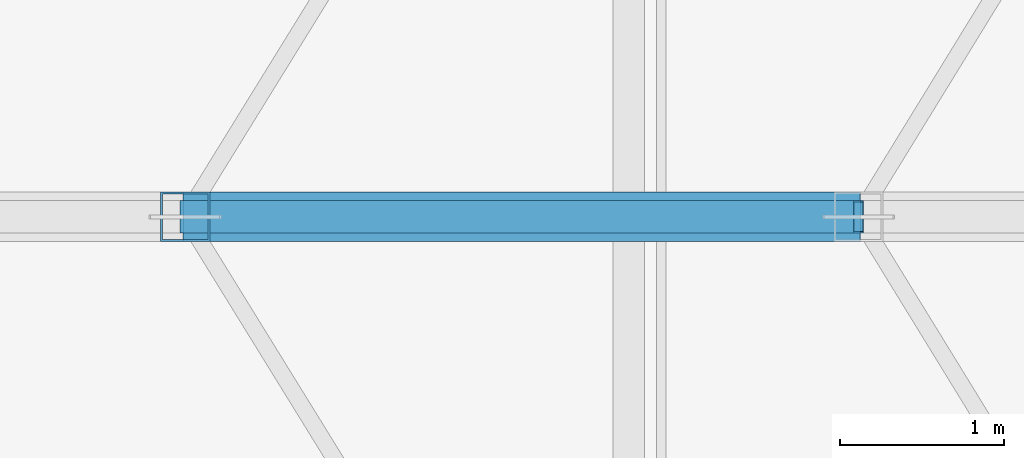
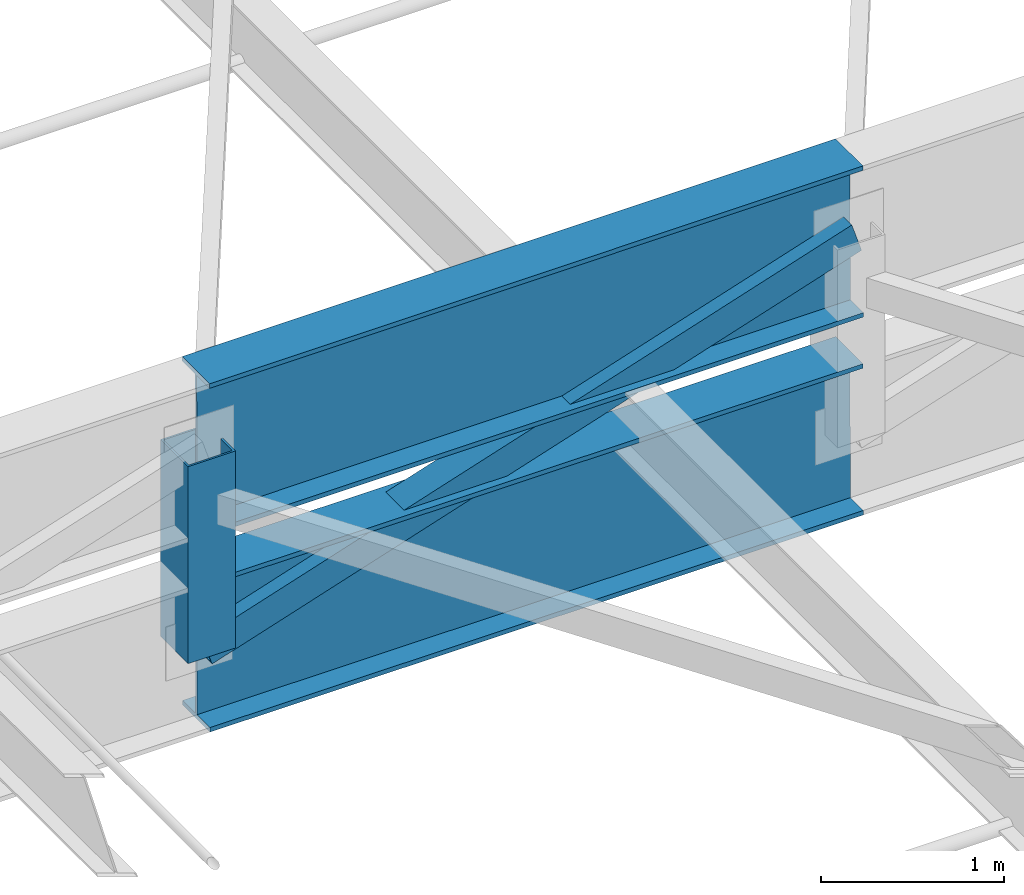
# One storey, part 19 of 184: 2 beams, 2 members.
"""IFC4 building model written with IfcOpenShell, lengths in metres."""

from ifc_helpers import new_model, si_unit, direction, frame, origin, origin_2d, place, context, subcontext, project, spatial, hollow_rectangle, i_section, extrude, material, material_profile, profile_set, type_object, element, save


model = new_model("IFC4")

# Units and contexts
model_context = context("Model", 3, precision=1e-05, world=origin(), true_north=direction((0.0, 1.0)))
body_context = subcontext(model_context, "Body", "Model", "MODEL_VIEW")
ifc_project = project(units=[si_unit("LENGTHUNIT", "METRE"), si_unit("AREAUNIT", "SQUARE_METRE"), si_unit("VOLUMEUNIT", "CUBIC_METRE"), si_unit("PLANEANGLEUNIT", "RADIAN"), si_unit("MASSUNIT", "GRAM", prefix="KILO")], contexts=[model_context])

# Site, building, storey
site_placement = place(None, origin())
site = spatial("IfcSite", under=ifc_project, at=site_placement, CompositionType="ELEMENT")
building_placement = place(site_placement, origin())
building = spatial("IfcBuilding", under=site, at=building_placement, Name="Kalgoora Escarpment Arena", CompositionType="ELEMENT")
storey_placement = place(building_placement, frame((0.0, 0.0, 27.60009765625)))
storey = spatial("IfcBuildingStorey", under=building, at=storey_placement, Name="Roof Level", CompositionType="ELEMENT", Elevation=27.60009765625)

# Beams
ifc_material_1 = material(Name="Structural steel Grade 350 (350 MPa)", Category="steel")
ifc_material_profile_1 = material_profile(ifc_material_1, i_section(OverallWidth=0.300048828125, OverallDepth=1.010009765625, WebThickness=0.01611328125, FlangeThickness=0.030029296875, at=origin_2d()))
ifc_profile_set_1 = profile_set([ifc_material_profile_1], Name="Structural steel Grade 350 (350 MPa)")
beam_type = type_object("IfcBeamType", Name="BM-TRUSS-CHORD", PredefinedType="USERDEFINED", material=ifc_profile_set_1)
for number, where, z_axis, x_axis, name in (
    (1, (60.087890625, 64.0, -1.635009765625), (0.999999299082, 0.0, 0.001183991593), (0.0, 1.0, 0.0), "Radial ROOF TRUSS spine 5 bottom chord 5"),
    (2, (60.087890625, 64.0, -0.320068359375), (0.999997054401, 0.0, 0.002427177317), (0.0, 1.0, 0.0), "Radial ROOF TRUSS spine 5 top chord 5"),
):
    element("IfcBeam", number, at=place(storey_placement, frame(where, z_axis=z_axis, x_axis=x_axis)), inside=storey, type_object=beam_type, Name=name, ObjectType="GIRDER", PredefinedType="USERDEFINED", context=body_context, shape_type="SweptSolid", body=[
        extrude(i_section(OverallWidth=0.300048828125, OverallDepth=1.010009765625, WebThickness=0.01611328125, FlangeThickness=0.030029296875, at=origin_2d()), origin(), (0.0, 0.0, 1.0), 4.1240234375),
    ])

# Members
ifc_material_2 = material(Name="Structural steel C350 (350 MPa)", Category="steel")
ifc_material_profile_2 = material_profile(ifc_material_2, hollow_rectangle(XDim=0.199951171875, YDim=0.199951171875, WallThickness=0.009033203125, at=origin_2d()))
ifc_profile_set_2 = profile_set([ifc_material_profile_2], Name="Structural steel C350 (350 MPa)")
member_type_1 = type_object("IfcMemberType", Name="MEM-TRUSS-DIAG", PredefinedType="BRACE", material=ifc_profile_set_2)
member_1_placement = place(storey_placement, frame((60.10009765625, 64.0, -1.635009765625), z_axis=(0.951544527362, 0.0, 0.307510995653), x_axis=(0.0, 1.0, 0.0)))
element("IfcMember", 3, at=member_1_placement, inside=storey, type_object=member_type_1, Name="Radial ROOF TRUSS spine 5 web diagonal 5", PredefinedType="BRACE", context=body_context, shape_type="SweptSolid", body=[
    extrude(hollow_rectangle(XDim=0.199951171875, YDim=0.199951171875, WallThickness=0.009033203125, at=origin_2d()), origin(), (0.0, 0.0, 1.0), 4.30859375),
])
ifc_material_3 = material(Name="Structural steel C450 (450 MPa)", Category="steel")
ifc_material_profile_3 = material_profile(ifc_material_3, hollow_rectangle(XDim=0.300048828125, YDim=0.300048828125, WallThickness=0.012451171875, at=origin_2d()))
ifc_profile_set_3 = profile_set([ifc_material_profile_3], Name="Structural steel C450 (450 MPa)")
member_type_2 = type_object("IfcMemberType", Name="MEM-TRUSS-POST", PredefinedType="POST", material=ifc_profile_set_3)
member_2_placement = place(storey_placement, frame((60.10009765625, 64.0, -1.635009765625), z_axis=(0.0, 0.0, 1.0), x_axis=(1.0, 0.0, 0.0)))
element("IfcMember", 4, at=member_2_placement, inside=storey, type_object=member_type_2, Name="Radial ROOF TRUSS spine 5 post 4", PredefinedType="POST", context=body_context, shape_type="SweptSolid", body=[
    extrude(hollow_rectangle(XDim=0.300048828125, YDim=0.300048828125, WallThickness=0.012451171875, at=origin_2d()), origin(), (0.0, 0.0, 1.0), 1.31494140625),
])

save(model, "model.ifc")
